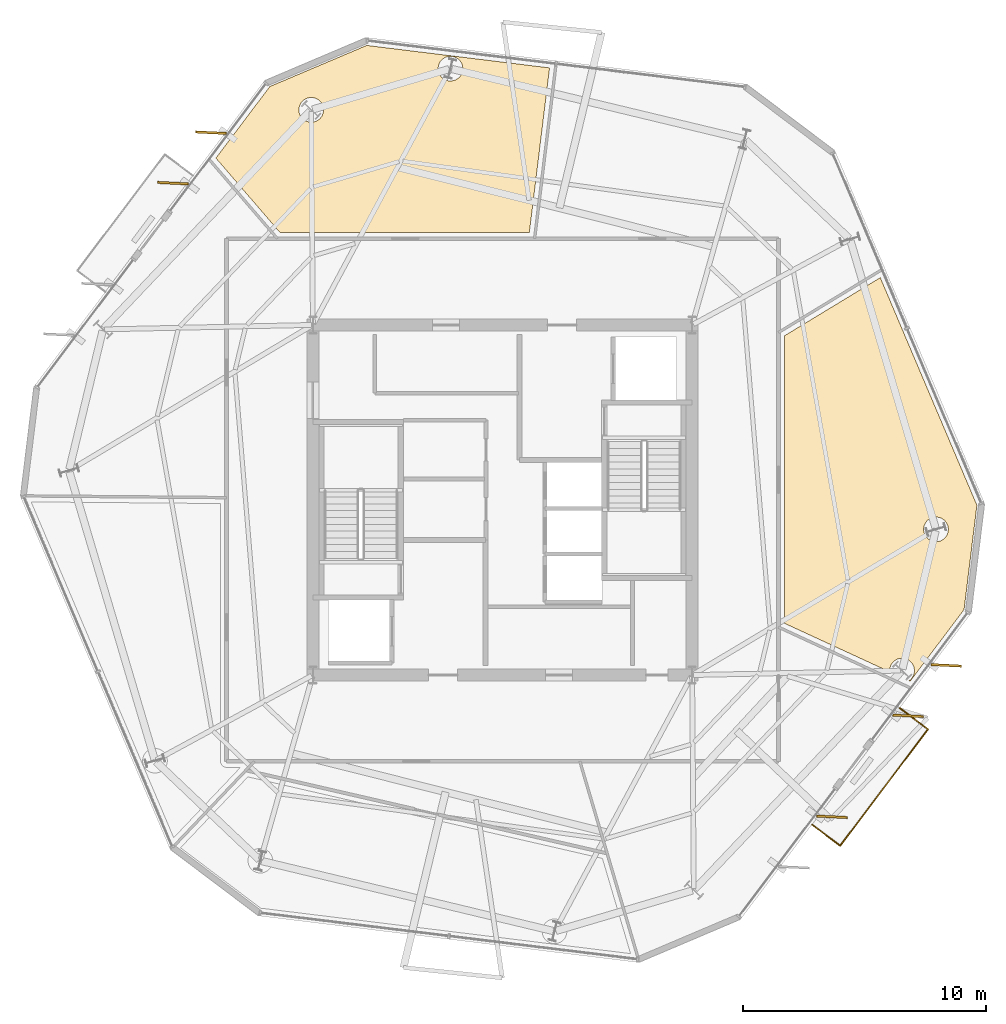
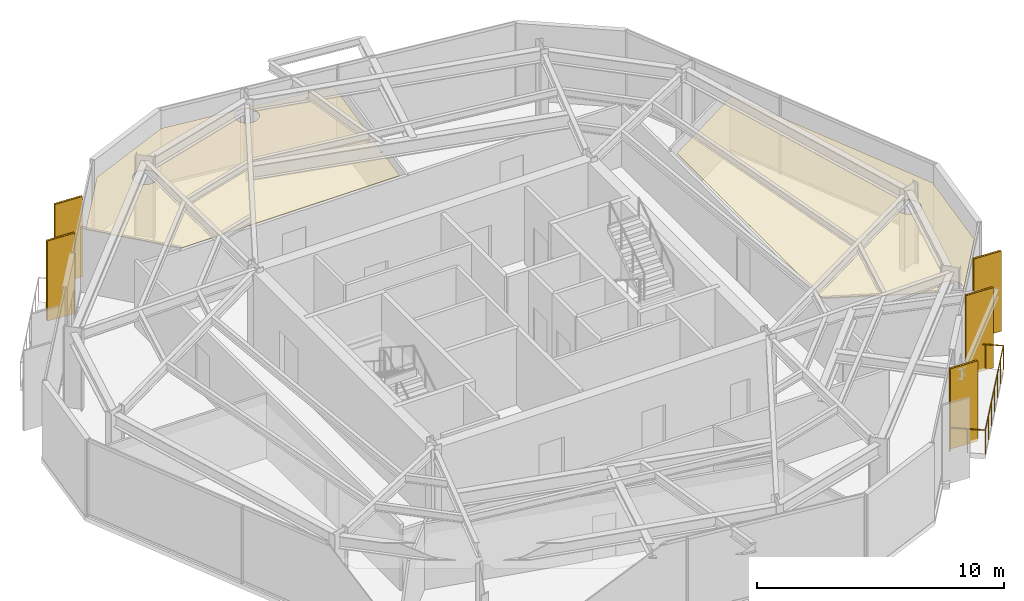
# One storey, part 12 of 12: 7 coverings, 5 shading devices, 1 railing.
"""IFC4 building model written with IfcOpenShell, lengths in metres."""

from ifc_helpers import new_model, si_unit, direction, frame, origin, origin_2d, place, context, subcontext, project, spatial, polyline, rectangle, circle, outline, extrude, material, layer, layer_set, type_object, element, save


model = new_model("IFC4")

# Units and contexts
model_context = context("Model", 3, precision=1e-05, world=origin(), true_north=direction((0.0, 1.0)))
body_context = subcontext(model_context, "Body", "Model", "MODEL_VIEW")
ifc_project = project(units=[si_unit("LENGTHUNIT", "METRE"), si_unit("AREAUNIT", "SQUARE_METRE"), si_unit("VOLUMEUNIT", "CUBIC_METRE"), si_unit("PLANEANGLEUNIT", "RADIAN"), si_unit("MASSUNIT", "GRAM", prefix="KILO")], contexts=[model_context])

# Site, building, storey
site_placement = place(None, origin())
site = spatial("IfcSite", under=ifc_project, at=site_placement, CompositionType="ELEMENT")
building_placement = place(site_placement, origin())
building = spatial("IfcBuilding", under=site, at=building_placement, Name="Kranzbogen Civic Tower", CompositionType="ELEMENT")
storey_placement = place(building_placement, frame((0.0, 0.0, 236.800048828125)))
storey = spatial("IfcBuildingStorey", under=building, at=storey_placement, Name="L57", CompositionType="ELEMENT", Elevation=236.800048828125)

# Coverings
ifc_material_1 = material(Name="Pale Anodised Aluminium", Category="aluminium")
ifc_layer_1 = layer(ifc_material_1, 0.02490234375, Name="Pale Anodised Aluminium")
ifc_layer_set_1 = layer_set([ifc_layer_1], Name="Pale Anodised Aluminium")
covering_type_1 = type_object("IfcCoveringType", Name="Anodised Aluminium Vertical Fin Cladding 25 mm", PredefinedType="CLADDING", material=ifc_layer_set_1)
for number, where, z_axis, x_axis, name in (
    (1, (13.010009765625, 40.10595703125, -0.14013671875), (0.0, 0.0, 1.0), (-0.998799306891, 0.048989228964, 0.0), "L57 vertical fin pale-metal cladding F2-1"),
    (2, (11.445068359375, 38.030029296875, -0.14013671875), (0.0, 0.0, 1.0), (-0.998799306891, 0.048989228964, 0.0), "L57 vertical fin pale-metal cladding F2-2"),
    (3, (38.554931640625, 11.969970703125, -0.14013671875), (0.0, 0.0, 1.0), (0.998799306891, -0.048989228964, 0.0), "L57 vertical fin pale-metal cladding F5-2"),
    (4, (41.68408203125, 16.123046875, -0.14013671875), (0.0, 0.0, 1.0), (0.998799306891, -0.048989228964, 0.0), "L57 vertical fin pale-metal cladding F5-4"),
    (5, (43.2490234375, 18.198974609375, -0.14013671875), (0.0, 0.0, 1.0), (0.998799306891, -0.048989228964, 0.0), "L57 vertical fin pale-metal cladding F5-5"),
):
    element("IfcCovering", number, at=place(storey_placement, frame(where, z_axis=z_axis, x_axis=x_axis)), inside=storey, type_object=covering_type_1, Name=name, PredefinedType="CLADDING", context=body_context, shape_type="SweptSolid", body=[
        extrude(rectangle(XDim=1.25, YDim=0.10009765625, at=origin_2d()), origin(), (0.0, 0.0, 1.0), 3.9599609375),
    ])

# Shading devices
ifc_material_2 = material(Name="Anodised Bronze Aluminium", Category="aluminium")
shading_device_type = type_object("IfcShadingDeviceType", Name="Anodised Bronze Vertical Facade Fin 1250x80", PredefinedType="USERDEFINED", material=ifc_material_2)
for number, where, z_axis, x_axis, name in (
    (6, (13.010009765625, 40.10595703125, -0.14013671875), (0.0, 0.0, 1.0), (-0.998799306891, 0.048989228964, 0.0), "L57 vertical exterior shading fin F2-1"),
    (7, (11.445068359375, 38.030029296875, -0.14013671875), (0.0, 0.0, 1.0), (-0.998799306891, 0.048989228964, 0.0), "L57 vertical exterior shading fin F2-2"),
    (8, (38.554931640625, 11.969970703125, -0.14013671875), (0.0, 0.0, 1.0), (0.998799306891, -0.048989228964, 0.0), "L57 vertical exterior shading fin F5-2"),
    (9, (41.68408203125, 16.123046875, -0.14013671875), (0.0, 0.0, 1.0), (0.998799306891, -0.048989228964, 0.0), "L57 vertical exterior shading fin F5-4"),
    (10, (43.2490234375, 18.198974609375, -0.14013671875), (0.0, 0.0, 1.0), (0.998799306891, -0.048989228964, 0.0), "L57 vertical exterior shading fin F5-5"),
):
    element("IfcShadingDevice", number, at=place(storey_placement, frame(where, z_axis=z_axis, x_axis=x_axis)), inside=storey, type_object=shading_device_type, Name=name, ObjectType="FIN", PredefinedType="USERDEFINED", context=body_context, shape_type="SweptSolid", body=[
        extrude(rectangle(XDim=1.25, YDim=0.080078125, at=origin_2d()), origin(), (0.0, 0.0, 1.0), 3.9599609375),
    ])

# Railing
railing_type = type_object("IfcRailingType", Name="Cantilevered Balcony Glass and Bronze Balustrade 1200", PredefinedType="BALUSTRADE", material=ifc_material_2)
railing_placement = place(storey_placement, frame((37.72998046875, 11.65087890625, 0.0)))
element("IfcRailing", 11, at=railing_placement, inside=storey, type_object=railing_type, Name="L57 exterior terrace balustrade L57-TB2", PredefinedType="BALUSTRADE", context=body_context, shape_type="SweptSolid", body=[
    extrude(circle(Radius=0.02392578125, at=origin_2d()), frame((0.0, 0.0, 1.17578125), z_axis=(0.798563229381, -0.601910930853, 0.0), x_axis=(0.601910930853, 0.798563229381, 0.0)), (0.0, 0.0, 1.0), 1.449951171875),
    extrude(circle(Radius=0.02392578125, at=origin_2d()), frame((1.157958984375, -0.872802734375, 1.17578125), z_axis=(0.601821280228, 0.798630794964, 0.0), x_axis=(-0.798630794964, 0.601821280228, 0.0)), (0.0, 0.0, 1.0), 6.000244140625),
    extrude(circle(Radius=0.02392578125, at=origin_2d()), frame((4.76904296875, 3.919189453125, 1.17578125), z_axis=(-0.798482302568, 0.602018282518, 0.0), x_axis=(-0.602018282518, -0.798482302568, 0.0)), (0.0, 0.0, 1.0), 1.4501953125),
    extrude(circle(Radius=0.02099609375, at=origin_2d()), origin(), (0.0, 0.0, 1.0), 1.15185546875),
    extrude(circle(Radius=0.02099609375, at=origin_2d()), frame((0.5791015625, -0.4365234375, 0.0)), (0.0, 0.0, 1.0), 1.15185546875),
    extrude(circle(Radius=0.02099609375, at=origin_2d()), frame((1.157958984375, -0.872802734375, 0.0)), (0.0, 0.0, 1.0), 1.15185546875),
    extrude(circle(Radius=0.02099609375, at=origin_2d()), frame((1.759765625, -0.07421875, 0.0)), (0.0, 0.0, 1.0), 1.15185546875),
    extrude(circle(Radius=0.02099609375, at=origin_2d()), frame((2.361572265625, 0.724609375, 0.0)), (0.0, 0.0, 1.0), 1.15185546875),
    extrude(circle(Radius=0.02099609375, at=origin_2d()), frame((2.96337890625, 1.523193359375, 0.0)), (0.0, 0.0, 1.0), 1.15185546875),
    extrude(circle(Radius=0.02099609375, at=origin_2d()), frame((3.5654296875, 2.32177734375, 0.0)), (0.0, 0.0, 1.0), 1.15185546875),
    extrude(circle(Radius=0.02099609375, at=origin_2d()), frame((4.167236328125, 3.12060546875, 0.0)), (0.0, 0.0, 1.0), 1.15185546875),
    extrude(circle(Radius=0.02099609375, at=origin_2d()), frame((4.76904296875, 3.919189453125, 0.0)), (0.0, 0.0, 1.0), 1.15185546875),
    extrude(circle(Radius=0.02099609375, at=origin_2d()), frame((4.18994140625, 4.355712890625, 0.0)), (0.0, 0.0, 1.0), 1.15185546875),
    extrude(circle(Radius=0.02099609375, at=origin_2d()), frame((3.611083984375, 4.792236328125, 0.0)), (0.0, 0.0, 1.0), 1.15185546875),
])

# Coverings
ifc_material_3 = material(Name="Perforated Acoustic Gypsum Ceiling")
ifc_layer_2 = layer(ifc_material_3, 0.02490234375, Name="Perforated Acoustic Gypsum Ceiling")
ifc_layer_set_2 = layer_set([ifc_layer_2], Name="Perforated Acoustic Gypsum Ceiling")
covering_type_2 = type_object("IfcCoveringType", Name="Perforated Acoustic Mineral Ceiling Tile 25 mm", PredefinedType="CEILING", material=ifc_layer_set_2)
covering_1_placement = place(storey_placement, frame((0.0, 0.0, 2.89990234375)))
element("IfcCovering", 12, at=covering_1_placement, inside=storey, type_object=covering_type_2, Name="L57 Central Mail Post Room acoustic ceiling", PredefinedType="CEILING", context=body_context, shape_type="SweptSolid", body=[
    extrude(outline(polyline([(43.98291015625, 20.489990234375), (41.763916015625, 17.544921875), (41.718994140625, 17.56591796875), (41.7548828125, 17.592041015625), (41.7919921875, 17.625), (41.824951171875, 17.662109375), (41.85498046875, 17.701904296875), (41.8798828125, 17.7451171875), (41.902099609375, 17.7900390625), (41.91796875, 17.8369140625), (41.929931640625, 17.885009765625), (41.93798828125, 17.93408203125), (41.93994140625, 17.98388671875), (41.93798828125, 18.033935546875), (41.929931640625, 18.0830078125), (41.91796875, 18.131103515625), (41.902099609375, 18.177978515625), (41.8798828125, 18.222900390625), (41.85498046875, 18.26611328125), (41.824951171875, 18.305908203125), (41.7919921875, 18.343017578125), (41.7548828125, 18.3759765625), (41.715087890625, 18.406005859375), (41.672119140625, 18.430908203125), (41.626953125, 18.452880859375), (41.580078125, 18.468994140625), (41.531982421875, 18.48095703125), (41.48291015625, 18.489013671875), (41.43310546875, 18.490966796875), (41.383056640625, 18.489013671875), (41.333984375, 18.48095703125), (41.285888671875, 18.468994140625), (41.239013671875, 18.452880859375), (41.194091796875, 18.430908203125), (41.15087890625, 18.406005859375), (41.111083984375, 18.3759765625), (41.073974609375, 18.343017578125), (41.041015625, 18.305908203125), (41.010986328125, 18.26611328125), (40.986083984375, 18.222900390625), (40.964111328125, 18.177978515625), (40.947998046875, 18.131103515625), (40.93603515625, 18.0830078125), (40.927978515625, 18.033935546875), (40.926025390625, 17.98388671875), (40.927978515625, 17.93408203125), (40.928955078125, 17.929931640625), (36.594970703125, 19.927001953125), (36.594970703125, 31.751953125), (40.537109375, 34.14501953125), (44.510986328125, 24.782958984375), (43.98291015625, 20.489990234375)]), holes=[polyline([(43.297119140625, 23.596923828125), (43.27490234375, 23.552001953125), (43.25, 23.509033203125), (43.219970703125, 23.468994140625), (43.18701171875, 23.431884765625), (43.14990234375, 23.39892578125), (43.110107421875, 23.368896484375), (43.06689453125, 23.343994140625), (43.02197265625, 23.322021484375), (42.97509765625, 23.305908203125), (42.927001953125, 23.2939453125), (42.8779296875, 23.285888671875), (42.827880859375, 23.283935546875), (42.778076171875, 23.285888671875), (42.72900390625, 23.2939453125), (42.680908203125, 23.305908203125), (42.634033203125, 23.322021484375), (42.589111328125, 23.343994140625), (42.5458984375, 23.368896484375), (42.506103515625, 23.39892578125), (42.468994140625, 23.431884765625), (42.43603515625, 23.468994140625), (42.406005859375, 23.509033203125), (42.381103515625, 23.552001953125), (42.35888671875, 23.596923828125), (42.343017578125, 23.64404296875), (42.3310546875, 23.69189453125), (42.322998046875, 23.740966796875), (42.321044921875, 23.791015625), (42.322998046875, 23.841064453125), (42.3310546875, 23.889892578125), (42.343017578125, 23.93798828125), (42.35888671875, 23.985107421875), (42.381103515625, 24.030029296875), (42.406005859375, 24.072998046875), (42.43603515625, 24.113037109375), (42.468994140625, 24.14990234375), (42.506103515625, 24.18310546875), (42.5458984375, 24.212890625), (42.589111328125, 24.238037109375), (42.634033203125, 24.260009765625), (42.680908203125, 24.27587890625), (42.72900390625, 24.2880859375), (42.778076171875, 24.2958984375), (42.827880859375, 24.298095703125), (42.8779296875, 24.2958984375), (42.927001953125, 24.2880859375), (42.97509765625, 24.27587890625), (43.02197265625, 24.260009765625), (43.06689453125, 24.238037109375), (43.110107421875, 24.212890625), (43.14990234375, 24.18310546875), (43.18701171875, 24.14990234375), (43.219970703125, 24.113037109375), (43.25, 24.072998046875), (43.27490234375, 24.030029296875), (43.297119140625, 23.985107421875), (43.31298828125, 23.93798828125), (43.324951171875, 23.889892578125), (43.3330078125, 23.841064453125), (43.3349609375, 23.791015625), (43.3330078125, 23.740966796875), (43.324951171875, 23.69189453125), (43.31298828125, 23.64404296875), (43.297119140625, 23.596923828125)])]), origin(), (0.0, 0.0, 1.0), 0.025146484375),
])
covering_2_placement = place(storey_placement, frame((0.0, 0.0, 2.89990234375)))
element("IfcCovering", 13, at=covering_2_placement, inside=storey, type_object=covering_type_2, Name="L57 Staff Tea Pantry acoustic ceiling", PredefinedType="CEILING", context=body_context, shape_type="SweptSolid", body=[
    extrude(outline(polyline([(19.4140625, 43.695068359375), (26.93505859375, 42.77099609375), (26.10302734375, 35.9951171875), (15.85302734375, 35.9951171875), (13.212890625, 39.06005859375), (15.431884765625, 42.0048828125), (19.4140625, 43.695068359375)]), holes=[polyline([(17.60205078125, 40.85009765625), (17.580078125, 40.804931640625), (17.554931640625, 40.761962890625), (17.52490234375, 40.721923828125), (17.491943359375, 40.68505859375), (17.455078125, 40.652099609375), (17.4150390625, 40.6220703125), (17.3720703125, 40.596923828125), (17.326904296875, 40.574951171875), (17.280029296875, 40.55908203125), (17.23193359375, 40.547119140625), (17.18310546875, 40.5390625), (17.133056640625, 40.537109375), (17.0830078125, 40.5390625), (17.033935546875, 40.547119140625), (16.986083984375, 40.55908203125), (16.93896484375, 40.574951171875), (16.89404296875, 40.596923828125), (16.85107421875, 40.6220703125), (16.81103515625, 40.652099609375), (16.77392578125, 40.68505859375), (16.740966796875, 40.721923828125), (16.7109375, 40.761962890625), (16.68603515625, 40.804931640625), (16.6640625, 40.85009765625), (16.64794921875, 40.89697265625), (16.635986328125, 40.945068359375), (16.6279296875, 40.993896484375), (16.6259765625, 41.0439453125), (16.6279296875, 41.093994140625), (16.635986328125, 41.14306640625), (16.64794921875, 41.19091796875), (16.6640625, 41.238037109375), (16.68603515625, 41.282958984375), (16.7109375, 41.325927734375), (16.740966796875, 41.365966796875), (16.77392578125, 41.403076171875), (16.81103515625, 41.43603515625), (16.85107421875, 41.466064453125), (16.89404296875, 41.490966796875), (16.93896484375, 41.512939453125), (16.986083984375, 41.529052734375), (17.033935546875, 41.541015625), (17.0830078125, 41.549072265625), (17.133056640625, 41.551025390625), (17.18310546875, 41.549072265625), (17.23193359375, 41.541015625), (17.280029296875, 41.529052734375), (17.326904296875, 41.512939453125), (17.3720703125, 41.490966796875), (17.4150390625, 41.466064453125), (17.455078125, 41.43603515625), (17.491943359375, 41.403076171875), (17.52490234375, 41.365966796875), (17.554931640625, 41.325927734375), (17.580078125, 41.282958984375), (17.60205078125, 41.238037109375), (17.617919921875, 41.19091796875), (17.6298828125, 41.14306640625), (17.637939453125, 41.093994140625), (17.639892578125, 41.0439453125), (17.637939453125, 40.993896484375), (17.6298828125, 40.945068359375), (17.617919921875, 40.89697265625), (17.60205078125, 40.85009765625)]), polyline([(23.3291015625, 42.5458984375), (23.306884765625, 42.5009765625), (23.281982421875, 42.4580078125), (23.251953125, 42.41796875), (23.218994140625, 42.381103515625), (23.181884765625, 42.347900390625), (23.14208984375, 42.318115234375), (23.09912109375, 42.29296875), (23.053955078125, 42.27099609375), (23.007080078125, 42.2548828125), (22.958984375, 42.242919921875), (22.909912109375, 42.235107421875), (22.860107421875, 42.23291015625), (22.81005859375, 42.235107421875), (22.760986328125, 42.242919921875), (22.712890625, 42.2548828125), (22.666015625, 42.27099609375), (22.62109375, 42.29296875), (22.577880859375, 42.318115234375), (22.5380859375, 42.347900390625), (22.5009765625, 42.381103515625), (22.468017578125, 42.41796875), (22.43798828125, 42.4580078125), (22.4130859375, 42.5009765625), (22.39111328125, 42.5458984375), (22.375, 42.593017578125), (22.363037109375, 42.64111328125), (22.35498046875, 42.68994140625), (22.35302734375, 42.739990234375), (22.35498046875, 42.7900390625), (22.363037109375, 42.839111328125), (22.375, 42.886962890625), (22.39111328125, 42.93408203125), (22.4130859375, 42.97900390625), (22.43798828125, 43.02197265625), (22.468017578125, 43.06201171875), (22.5009765625, 43.09912109375), (22.5380859375, 43.132080078125), (22.577880859375, 43.162109375), (22.62109375, 43.18701171875), (22.666015625, 43.208984375), (22.712890625, 43.22509765625), (22.760986328125, 43.237060546875), (22.81005859375, 43.2451171875), (22.860107421875, 43.2470703125), (22.909912109375, 43.2451171875), (22.958984375, 43.237060546875), (23.007080078125, 43.22509765625), (23.053955078125, 43.208984375), (23.09912109375, 43.18701171875), (23.14208984375, 43.162109375), (23.181884765625, 43.132080078125), (23.218994140625, 43.09912109375), (23.251953125, 43.06201171875), (23.281982421875, 43.02197265625), (23.306884765625, 42.97900390625), (23.3291015625, 42.93408203125), (23.344970703125, 42.886962890625), (23.35693359375, 42.839111328125), (23.364990234375, 42.7900390625), (23.366943359375, 42.739990234375), (23.364990234375, 42.68994140625), (23.35693359375, 42.64111328125), (23.344970703125, 42.593017578125), (23.3291015625, 42.5458984375)])]), origin(), (0.0, 0.0, 1.0), 0.025146484375),
])

save(model, "model.ifc")
